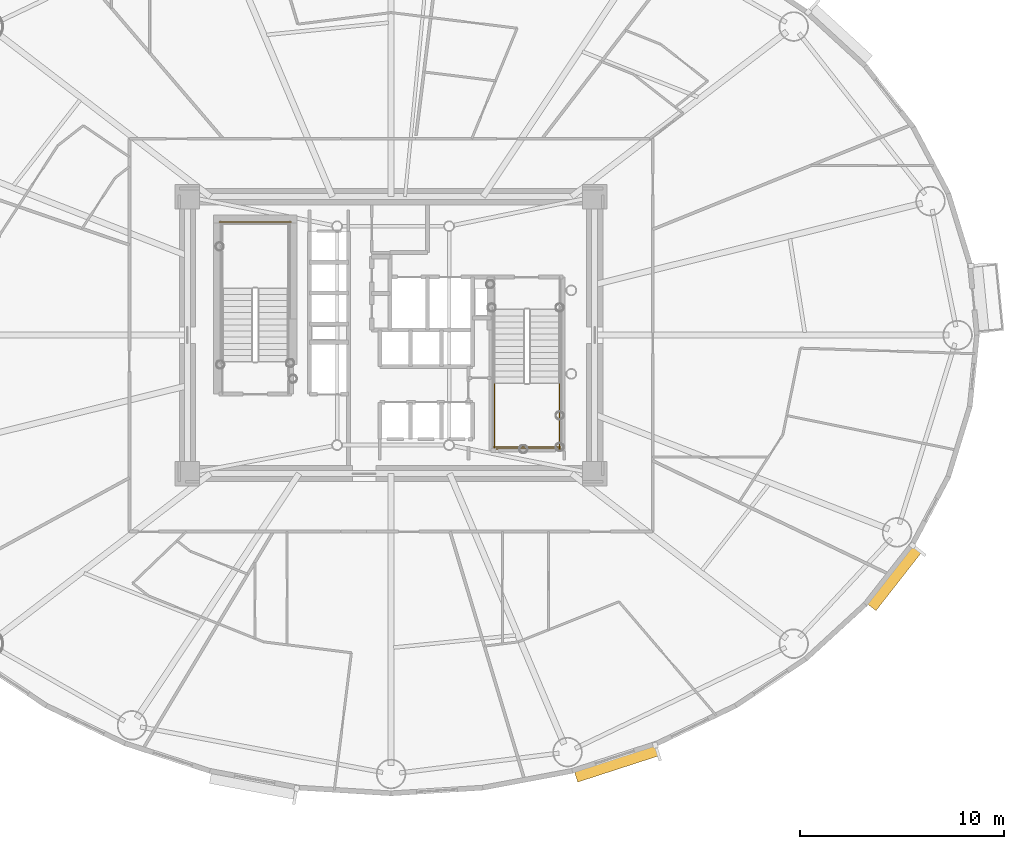
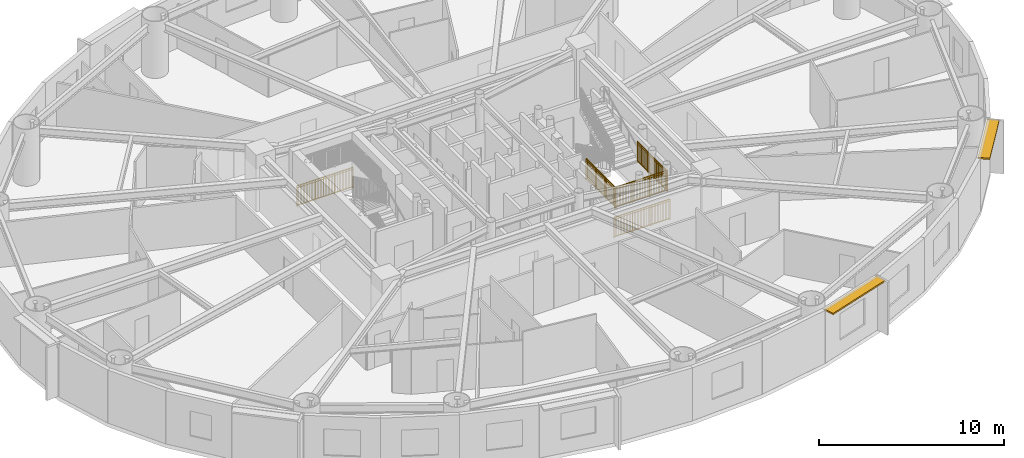
# One storey, part 15 of 18: 5 railings, 2 shading devices.
"""IFC4 building model written with IfcOpenShell, lengths in metres."""

import ifcopenshell
import ifcopenshell.guid

model = None  # the IFC model being written
_history = None  # IfcOwnerHistory: only IFC2X3 demands one
_inside = {}  # id of a spatial element -> (the spatial element, [elements in it])
_under = {}  # id of a project, library or spatial element -> (it, [spatial elements below it])
_declared = {}  # id of a project -> (the project, [libraries it declares])
_typed = {}  # id of a type object -> (the type object, [elements of that type])
_made_of = {}  # id of a material, layer set ... -> (it, [elements and type objects made of it])


def new_model(schema):
    """Start an empty IFC model of exactly this schema.

    Asked for "IFC4X3", IfcOpenShell would pick the latest addendum, in which some entities
    have other attributes; the version numbers below select the first issue.
    IFC2X3 requires an IfcOwnerHistory on every rooted entity: one is made here for all.
    """
    global model, _history
    if schema == "IFC4X3":
        model = ifcopenshell.file(schema_version=(4, 3, 0, 0))
    else:
        model = ifcopenshell.file(schema=schema)
    _inside.clear()
    _under.clear()
    _declared.clear()
    _typed.clear()
    _made_of.clear()
    _history = None
    if model.schema == "IFC2X3":
        org = make("IfcOrganization", Name="unknown")
        user = make(
            "IfcPersonAndOrganization",
            ThePerson=make("IfcPerson", FamilyName="unknown"),
            TheOrganization=org,
        )
        app = make(
            "IfcApplication",
            ApplicationDeveloper=org,
            Version="unknown",
            ApplicationFullName="unknown",
            ApplicationIdentifier="unknown",
        )
        _history = make(
            "IfcOwnerHistory",
            OwningUser=user,
            OwningApplication=app,
            ChangeAction="ADDED",
            CreationDate=0,
        )
    return model


def make(cls, **values):
    """One entity of the class cls with the attributes given. An attribute that is None is left unset."""
    return model.create_entity(
        cls, **{name: value for name, value in values.items() if value is not None}
    )


def rooted(cls, **values):
    """An entity with a GlobalId (a new one), such as an element, a storey or a relation."""
    return make(cls, GlobalId=ifcopenshell.guid.new(), OwnerHistory=_history, **values)


def si_unit(unit_type, name, prefix=None):
    """IfcSIUnit, for example si_unit("LENGTHUNIT", "METRE", prefix="MILLI")."""
    return make("IfcSIUnit", UnitType=unit_type, Prefix=prefix, Name=name)


def assignment(units):
    """IfcUnitAssignment: the units of a project."""
    return None if units is None else make("IfcUnitAssignment", Units=units)


def point(xyz):
    """IfcCartesianPoint."""
    return None if xyz is None else make("IfcCartesianPoint", Coordinates=xyz)


def direction(xyz):
    """IfcDirection."""
    return None if xyz is None else make("IfcDirection", DirectionRatios=xyz)


def frame(location, z_axis=None, x_axis=None):
    """IfcAxis2Placement3D, a coordinate frame: its origin and axes. An axis left out is left unset."""
    return make(
        "IfcAxis2Placement3D",
        Location=point(location),
        Axis=direction(z_axis),
        RefDirection=direction(x_axis),
    )


def frame_2d(location, x_axis=None):
    """IfcAxis2Placement2D, a coordinate frame in the plane: its origin and x axis."""
    return make(
        "IfcAxis2Placement2D", Location=point(location), RefDirection=direction(x_axis)
    )


def origin():
    """The frame at (0, 0, 0) with its axes left unset."""
    return frame((0.0, 0.0, 0.0))


def origin_2d():
    """The frame at (0, 0) in the plane with its x axis left unset."""
    return frame_2d((0.0, 0.0))


def place(relative_to, where):
    """IfcLocalPlacement: puts the frame where relative to a parent placement (None: the world)."""
    return make(
        "IfcLocalPlacement", PlacementRelTo=relative_to, RelativePlacement=where
    )


def context(
    kind, dimensions, precision=None, world=None, true_north=None, identifier=None
):
    """IfcGeometricRepresentationContext, for example the 3D "Model" context."""
    return make(
        "IfcGeometricRepresentationContext",
        ContextIdentifier=identifier,
        ContextType=kind,
        CoordinateSpaceDimension=dimensions,
        Precision=precision,
        WorldCoordinateSystem=world,
        TrueNorth=true_north,
    )


def subcontext(parent, identifier, kind, view, scale=None):
    """IfcGeometricRepresentationSubContext, for example "Body" below "Model"."""
    return make(
        "IfcGeometricRepresentationSubContext",
        ContextIdentifier=identifier,
        ContextType=kind,
        ParentContext=parent,
        TargetScale=scale,
        TargetView=view,
    )


def project(units=None, contexts=None):
    """IfcProject with its units and contexts."""
    return rooted(
        "IfcProject",
        Name="project",
        RepresentationContexts=contexts,
        UnitsInContext=assignment(units),
    )


def spatial(cls, under=None, at=None, **own):
    """A site, building, storey or space (cls), placed at a placement, below another one or the project."""
    s = rooted(cls, ObjectPlacement=at, **own)
    if under is not None:
        _under.setdefault(under.id(), (under, []))[1].append(s)
    return s


def profile(cls, at=None, kind="AREA", **sizes):
    """A parametric profile (cls). Its sizes go by their IFC names, for example OverallWidth=200.0."""
    return make(cls, ProfileType=kind, Position=at, **sizes)


def rectangle(**sizes):
    """IfcRectangleProfileDef."""
    return profile("IfcRectangleProfileDef", **sizes)


def extrude(swept, where, along, depth):
    """IfcExtrudedAreaSolid: the profile swept, set in the frame where, extruded along a direction by depth."""
    return make(
        "IfcExtrudedAreaSolid",
        SweptArea=swept,
        Position=where,
        ExtrudedDirection=direction(along),
        Depth=depth,
    )


def shape(context_of_items, identifier, shape_type, items):
    """IfcShapeRepresentation: the items that make up one representation, for example the "Body"."""
    return make(
        "IfcShapeRepresentation",
        ContextOfItems=context_of_items,
        RepresentationIdentifier=identifier,
        RepresentationType=shape_type,
        Items=items,
    )


def source(mapping_origin, context_of_items, identifier, shape_type, items):
    """IfcRepresentationMap: a shape defined once, which mapped items show again and again."""
    return make(
        "IfcRepresentationMap",
        MappingOrigin=mapping_origin,
        MappedRepresentation=shape(context_of_items, identifier, shape_type, items),
    )


def transform(
    local_origin,
    x_axis=None,
    y_axis=None,
    z_axis=None,
    scale=None,
    scale2=None,
    scale3=None,
    uniform=True,
):
    """IfcCartesianTransformationOperator3D, or its non-uniform kind. x_axis, y_axis, z_axis: its Axis1, 2, 3."""
    if uniform:
        return make(
            "IfcCartesianTransformationOperator3D",
            Axis1=direction(x_axis),
            Axis2=direction(y_axis),
            LocalOrigin=point(local_origin),
            Scale=scale,
            Axis3=direction(z_axis),
        )
    return make(
        "IfcCartesianTransformationOperator3DnonUniform",
        Axis1=direction(x_axis),
        Axis2=direction(y_axis),
        LocalOrigin=point(local_origin),
        Scale=scale,
        Axis3=direction(z_axis),
        Scale2=scale2,
        Scale3=scale3,
    )


def mapped(mapping_source, mapping_target):
    """IfcMappedItem: shows the shape of a source again, moved by a transform."""
    return make(
        "IfcMappedItem", MappingSource=mapping_source, MappingTarget=mapping_target
    )


def material(Name=None, Category=None):
    """IfcMaterial."""
    return make("IfcMaterial", Name=Name, Category=Category)


def layer(
    of_material, thickness, ventilated=None, Name=None, Category=None, Priority=None
):
    """IfcMaterialLayer: one layer of a wall or slab, of a material (None: an air gap)."""
    return make(
        "IfcMaterialLayer",
        Material=of_material,
        LayerThickness=thickness,
        IsVentilated=ventilated,
        Name=Name,
        Category=Category,
        Priority=Priority,
    )


def layer_set(layers, Name=None):
    """IfcMaterialLayerSet."""
    return make("IfcMaterialLayerSet", MaterialLayers=layers, LayerSetName=Name)


def made_of(thing, what):
    """Note that an element or type object is made of a material, layer set ...; save() writes the relation."""
    if what is not None:
        _made_of.setdefault(what.id(), (what, []))[1].append(thing)
    return thing


def type_object(cls, material=None, **own):
    """A type object (cls), such as IfcWallType, which elements share."""
    return made_of(rooted(cls, **own), material)


def element(
    cls,
    number,
    at=None,
    inside=None,
    cuts=None,
    type_object=None,
    material=None,
    context=None,
    identifier="Body",
    shape_type=None,
    held_by="IfcProductDefinitionShape",
    body=None,
    shapes=None,
    **own,
):
    """One element of the class cls, such as IfcWall. Its Tag is "e" and its number.

    at: its placement. inside: the storey or other place that contains it. cuts: it is an
    opening in that element (IfcRelVoidsElement). A single representation is given by context,
    identifier, shape_type and body (its items); several are given by shapes. held_by: the class
    of the entity that holds the representations. save() writes the other relations.
    """
    e = rooted(cls, Tag="e%d" % number, ObjectPlacement=at, **own)
    if body is not None:
        shapes = [shape(context, identifier, shape_type, body)]
    if shapes is not None:
        e.Representation = make(held_by, Representations=shapes)
    if inside is not None:
        _inside.setdefault(inside.id(), (inside, []))[1].append(e)
    if cuts is not None:
        rooted(
            "IfcRelVoidsElement", RelatingBuildingElement=cuts, RelatedOpeningElement=e
        )
    if type_object is not None:
        _typed.setdefault(type_object.id(), (type_object, []))[1].append(e)
    return made_of(e, material)


def aggregate(whole, parts):
    """IfcRelAggregates: a whole, such as a stair, and the parts it consists of."""
    return rooted("IfcRelAggregates", RelatingObject=whole, RelatedObjects=parts)


def save(model, path):
    """Write the relations noted so far, then the file.

    IfcRelAggregates (storeys below a building ...), IfcRelContainedInSpatialStructure (elements
    in a storey), IfcRelDefinesByType, IfcRelAssociatesMaterial and IfcRelDeclares: one each for
    every whole, place, type object, material and project.
    """
    for whole, parts in _under.values():
        aggregate(whole, parts)
    for where, things in _inside.values():
        rooted(
            "IfcRelContainedInSpatialStructure",
            RelatedElements=things,
            RelatingStructure=where,
        )
    for kind, things in _typed.values():
        rooted("IfcRelDefinesByType", RelatedObjects=things, RelatingType=kind)
    for what, things in _made_of.values():
        rooted("IfcRelAssociatesMaterial", RelatedObjects=things, RelatingMaterial=what)
    for by, libraries in _declared.values():
        rooted("IfcRelDeclares", RelatingContext=by, RelatedDefinitions=libraries)
    model.write(path)


model = new_model("IFC4")

# Units and contexts
model_context = context("Model", 3, precision=1e-05, world=origin(), true_north=direction((0.0, 1.0)))
body_context = subcontext(model_context, "Body", "Model", "MODEL_VIEW")
ifc_project = project(units=[si_unit("LENGTHUNIT", "METRE"), si_unit("AREAUNIT", "SQUARE_METRE"), si_unit("VOLUMEUNIT", "CUBIC_METRE"), si_unit("PLANEANGLEUNIT", "RADIAN"), si_unit("MASSUNIT", "GRAM", prefix="KILO")], contexts=[model_context])

# Site, building, storey
site_placement = place(None, origin())
site = spatial("IfcSite", under=ifc_project, at=site_placement, CompositionType="ELEMENT")
building_placement = place(site_placement, origin())
building = spatial("IfcBuilding", under=site, at=building_placement, Name="Linh Dai School and Residence Tower", CompositionType="ELEMENT")
storey_placement = place(building_placement, frame((0.0, 0.0, 104.699951171875)))
storey = spatial("IfcBuildingStorey", under=building, at=storey_placement, Name="L24", CompositionType="ELEMENT", Elevation=104.699951171875)

# Shading devices
ifc_material_1 = material(Name="Terracotta Ceramic Sunshade", Category="masonry")
ifc_layer = layer(ifc_material_1, 0.10009765625)
ifc_layer_set = layer_set([ifc_layer], Name="Terracotta Ceramic Sunshade")
shading_device_type = type_object("IfcShadingDeviceType", Name="SHD-TC-650", PredefinedType="USERDEFINED", material=ifc_layer_set)
shared_shape_1 = source(origin(), body_context, "Body", "SweptSolid", [
    extrude(rectangle(XDim=4.212890625, YDim=0.64990234375, at=origin_2d()), origin(), (0.0, 0.0, 1.0), 0.10009765625),
])
shading_device_1_placement = place(storey_placement, frame((47.07470703125, 6.004638671875, 3.3798828125), z_axis=(0.0, 0.0, 1.0), x_axis=(-0.951217089442, -0.308522363457, 0.0)))
element("IfcShadingDevice", 1, at=shading_device_1_placement, inside=storey, type_object=shading_device_type, Name="L24 Terracotta Horizontal Sunshade Band 33", ObjectType="SUNSHADE", PredefinedType="USERDEFINED", context=body_context, shape_type="MappedRepresentation", body=[
    mapped(shared_shape_1, transform((0.0, 0.0, 0.0), x_axis=(1.0, 0.0, 0.0), y_axis=(0.0, 1.0, 0.0), z_axis=(0.0, 0.0, 1.0), scale=1.0)),
])
shared_shape_2 = source(origin(), body_context, "Body", "SweptSolid", [
    extrude(rectangle(XDim=3.67041015625, YDim=0.64990234375, at=origin_2d()), origin(), (0.0, 0.0, 1.0), 0.10009765625),
])
shading_device_2_placement = place(storey_placement, frame((60.691650390625, 15.11328125, 3.3798828125), z_axis=(0.0, 0.0, 1.0), x_axis=(-0.616305017583, -0.787507539838, 0.0)))
element("IfcShadingDevice", 2, at=shading_device_2_placement, inside=storey, type_object=shading_device_type, Name="L24 Terracotta Horizontal Sunshade Band 37", ObjectType="SUNSHADE", PredefinedType="USERDEFINED", context=body_context, shape_type="MappedRepresentation", body=[
    mapped(shared_shape_2, transform((0.0, 0.0, 0.0), x_axis=(1.0, 0.0, 0.0), y_axis=(0.0, 1.0, 0.0), z_axis=(0.0, 0.0, 1.0), scale=1.0)),
])

# Railings
ifc_material_2 = material(Name="Structural Steel S355JR", Category="steel")
railing_type = type_object("IfcRailingType", Name="RL-ST-GUARD-1400", PredefinedType="GUARDRAIL", material=ifc_material_2)
shared_shape_3 = source(origin(), body_context, "Body", "SweptSolid", [
    extrude(rectangle(XDim=0.048095703125, YDim=0.048095703125, at=origin_2d()), frame((0.0, 0.0, 1.3759765625), z_axis=(-1.0, 0.0, 0.0), x_axis=(0.0, -1.0, 0.0)), (0.0, 0.0, 1.0), 3.5),
    extrude(rectangle(XDim=0.048095703125, YDim=0.048095703125, at=origin_2d()), frame((0.0, 0.0, 0.10009765625), z_axis=(-1.0, 0.0, 0.0), x_axis=(0.0, -1.0, 0.0)), (0.0, 0.0, 1.0), 3.5),
    extrude(rectangle(XDim=0.030029296875, YDim=0.030029296875, at=origin_2d()), frame((0.0, 0.0, 1.239990234375), z_axis=(-1.0, 0.0, 0.0), x_axis=(0.0, -1.0, 0.0)), (0.0, 0.0, 1.0), 3.5),
    extrude(rectangle(XDim=0.02001953125, YDim=0.02001953125, at=origin_2d()), frame((-0.09716796875, 0.0, 0.10009765625)), (0.0, 0.0, 1.0), 1.251708984375),
    extrude(rectangle(XDim=0.02001953125, YDim=0.02001953125, at=origin_2d()), frame((-0.1943359375, 0.0, 0.10009765625)), (0.0, 0.0, 1.0), 1.251708984375),
    extrude(rectangle(XDim=0.02001953125, YDim=0.02001953125, at=origin_2d()), frame((-0.291748046875, 0.0, 0.10009765625)), (0.0, 0.0, 1.0), 1.251708984375),
    extrude(rectangle(XDim=0.02001953125, YDim=0.02001953125, at=origin_2d()), frame((-0.388916015625, 0.0, 0.10009765625)), (0.0, 0.0, 1.0), 1.251708984375),
    extrude(rectangle(XDim=0.02001953125, YDim=0.02001953125, at=origin_2d()), frame((-0.486083984375, 0.0, 0.10009765625)), (0.0, 0.0, 1.0), 1.251708984375),
    extrude(rectangle(XDim=0.02001953125, YDim=0.02001953125, at=origin_2d()), frame((-0.583251953125, 0.0, 0.10009765625)), (0.0, 0.0, 1.0), 1.251708984375),
    extrude(rectangle(XDim=0.02001953125, YDim=0.02001953125, at=origin_2d()), frame((-0.6806640625, 0.0, 0.10009765625)), (0.0, 0.0, 1.0), 1.251708984375),
    extrude(rectangle(XDim=0.02001953125, YDim=0.02001953125, at=origin_2d()), frame((-0.77783203125, 0.0, 0.10009765625)), (0.0, 0.0, 1.0), 1.251708984375),
    extrude(rectangle(XDim=0.02001953125, YDim=0.02001953125, at=origin_2d()), frame((-0.875, 0.0, 0.10009765625)), (0.0, 0.0, 1.0), 1.251708984375),
    extrude(rectangle(XDim=0.02001953125, YDim=0.02001953125, at=origin_2d()), frame((-0.97216796875, 0.0, 0.10009765625)), (0.0, 0.0, 1.0), 1.251708984375),
    extrude(rectangle(XDim=0.02001953125, YDim=0.02001953125, at=origin_2d()), frame((-1.0693359375, 0.0, 0.10009765625)), (0.0, 0.0, 1.0), 1.251708984375),
    extrude(rectangle(XDim=0.02001953125, YDim=0.02001953125, at=origin_2d()), frame((-1.263916015625, 0.0, 0.10009765625)), (0.0, 0.0, 1.0), 1.251708984375),
    extrude(rectangle(XDim=0.02001953125, YDim=0.02001953125, at=origin_2d()), frame((-1.361083984375, 0.0, 0.10009765625)), (0.0, 0.0, 1.0), 1.251708984375),
    extrude(rectangle(XDim=0.02001953125, YDim=0.02001953125, at=origin_2d()), frame((-1.458251953125, 0.0, 0.10009765625)), (0.0, 0.0, 1.0), 1.251708984375),
    extrude(rectangle(XDim=0.02001953125, YDim=0.02001953125, at=origin_2d()), frame((-1.5556640625, 0.0, 0.10009765625)), (0.0, 0.0, 1.0), 1.251708984375),
    extrude(rectangle(XDim=0.02001953125, YDim=0.02001953125, at=origin_2d()), frame((-1.65283203125, 0.0, 0.10009765625)), (0.0, 0.0, 1.0), 1.251708984375),
    extrude(rectangle(XDim=0.02001953125, YDim=0.02001953125, at=origin_2d()), frame((-1.75, 0.0, 0.10009765625)), (0.0, 0.0, 1.0), 1.251708984375),
    extrude(rectangle(XDim=0.02001953125, YDim=0.02001953125, at=origin_2d()), frame((-1.84716796875, 0.0, 0.10009765625)), (0.0, 0.0, 1.0), 1.251708984375),
    extrude(rectangle(XDim=0.02001953125, YDim=0.02001953125, at=origin_2d()), frame((-1.9443359375, 0.0, 0.10009765625)), (0.0, 0.0, 1.0), 1.251708984375),
    extrude(rectangle(XDim=0.02001953125, YDim=0.02001953125, at=origin_2d()), frame((-2.041748046875, 0.0, 0.10009765625)), (0.0, 0.0, 1.0), 1.251708984375),
    extrude(rectangle(XDim=0.02001953125, YDim=0.02001953125, at=origin_2d()), frame((-2.138916015625, 0.0, 0.10009765625)), (0.0, 0.0, 1.0), 1.251708984375),
    extrude(rectangle(XDim=0.02001953125, YDim=0.02001953125, at=origin_2d()), frame((-2.236083984375, 0.0, 0.10009765625)), (0.0, 0.0, 1.0), 1.251708984375),
    extrude(rectangle(XDim=0.02001953125, YDim=0.02001953125, at=origin_2d()), frame((-2.4306640625, 0.0, 0.10009765625)), (0.0, 0.0, 1.0), 1.251708984375),
    extrude(rectangle(XDim=0.02001953125, YDim=0.02001953125, at=origin_2d()), frame((-2.52783203125, 0.0, 0.10009765625)), (0.0, 0.0, 1.0), 1.251708984375),
    extrude(rectangle(XDim=0.02001953125, YDim=0.02001953125, at=origin_2d()), frame((-2.625, 0.0, 0.10009765625)), (0.0, 0.0, 1.0), 1.251708984375),
    extrude(rectangle(XDim=0.02001953125, YDim=0.02001953125, at=origin_2d()), frame((-2.72216796875, 0.0, 0.10009765625)), (0.0, 0.0, 1.0), 1.251708984375),
    extrude(rectangle(XDim=0.02001953125, YDim=0.02001953125, at=origin_2d()), frame((-2.8193359375, 0.0, 0.10009765625)), (0.0, 0.0, 1.0), 1.251708984375),
    extrude(rectangle(XDim=0.02001953125, YDim=0.02001953125, at=origin_2d()), frame((-2.916748046875, 0.0, 0.10009765625)), (0.0, 0.0, 1.0), 1.251708984375),
    extrude(rectangle(XDim=0.02001953125, YDim=0.02001953125, at=origin_2d()), frame((-3.013916015625, 0.0, 0.10009765625)), (0.0, 0.0, 1.0), 1.251708984375),
    extrude(rectangle(XDim=0.02001953125, YDim=0.02001953125, at=origin_2d()), frame((-3.111083984375, 0.0, 0.10009765625)), (0.0, 0.0, 1.0), 1.251708984375),
    extrude(rectangle(XDim=0.02001953125, YDim=0.02001953125, at=origin_2d()), frame((-3.208251953125, 0.0, 0.10009765625)), (0.0, 0.0, 1.0), 1.251708984375),
    extrude(rectangle(XDim=0.02001953125, YDim=0.02001953125, at=origin_2d()), frame((-3.3056640625, 0.0, 0.10009765625)), (0.0, 0.0, 1.0), 1.251708984375),
    extrude(rectangle(XDim=0.02001953125, YDim=0.02001953125, at=origin_2d()), frame((-3.40283203125, 0.0, 0.10009765625)), (0.0, 0.0, 1.0), 1.251708984375),
    extrude(rectangle(XDim=0.0419921875, YDim=0.0419921875, at=origin_2d()), origin(), (0.0, 0.0, 1.0), 1.3759765625),
    extrude(rectangle(XDim=0.0419921875, YDim=0.0419921875, at=origin_2d()), frame((-1.166748046875, 0.0, 0.0)), (0.0, 0.0, 1.0), 1.3759765625),
    extrude(rectangle(XDim=0.0419921875, YDim=0.0419921875, at=origin_2d()), frame((-2.333251953125, 0.0, 0.0)), (0.0, 0.0, 1.0), 1.3759765625),
    extrude(rectangle(XDim=0.0419921875, YDim=0.0419921875, at=origin_2d()), frame((-3.5, 0.0, 0.0)), (0.0, 0.0, 1.0), 1.3759765625),
])
railing_1_placement = place(storey_placement, frame((31.080078125, 32.550048828125, 0.0)))
element("IfcRailing", 3, at=railing_1_placement, inside=storey, type_object=railing_type, Name="L24 ST1 stair guard 12", PredefinedType="GUARDRAIL", context=body_context, shape_type="MappedRepresentation", body=[
    mapped(shared_shape_3, transform((0.0, 0.0, 0.0), x_axis=(1.0, 0.0, 0.0), y_axis=(0.0, 1.0, 0.0), z_axis=(0.0, 0.0, 1.0), scale=1.0)),
])
shared_shape_4 = source(origin(), body_context, "Body", "SweptSolid", [
    extrude(rectangle(XDim=0.048095703125, YDim=0.048095703125, at=origin_2d()), frame((0.0, 0.0, 1.3759765625), z_axis=(1.0, 0.0, 0.0), x_axis=(0.0, 1.0, 0.0)), (0.0, 0.0, 1.0), 3.300048828125),
    extrude(rectangle(XDim=0.048095703125, YDim=0.048095703125, at=origin_2d()), frame((0.0, 0.0, 0.10009765625), z_axis=(1.0, 0.0, 0.0), x_axis=(0.0, 1.0, 0.0)), (0.0, 0.0, 1.0), 3.300048828125),
    extrude(rectangle(XDim=0.030029296875, YDim=0.030029296875, at=origin_2d()), frame((0.0, 0.0, 1.239990234375), z_axis=(1.0, 0.0, 0.0), x_axis=(0.0, 1.0, 0.0)), (0.0, 0.0, 1.0), 3.300048828125),
    extrude(rectangle(XDim=0.02001953125, YDim=0.02001953125, at=origin_2d()), frame((0.09716796875, 0.0, 0.10009765625)), (0.0, 0.0, 1.0), 1.251708984375),
    extrude(rectangle(XDim=0.02001953125, YDim=0.02001953125, at=origin_2d()), frame((0.194091796875, 0.0, 0.10009765625)), (0.0, 0.0, 1.0), 1.251708984375),
    extrude(rectangle(XDim=0.02001953125, YDim=0.02001953125, at=origin_2d()), frame((0.291259765625, 0.0, 0.10009765625)), (0.0, 0.0, 1.0), 1.251708984375),
    extrude(rectangle(XDim=0.02001953125, YDim=0.02001953125, at=origin_2d()), frame((0.38818359375, 0.0, 0.10009765625)), (0.0, 0.0, 1.0), 1.251708984375),
    extrude(rectangle(XDim=0.02001953125, YDim=0.02001953125, at=origin_2d()), frame((0.4853515625, 0.0, 0.10009765625)), (0.0, 0.0, 1.0), 1.251708984375),
    extrude(rectangle(XDim=0.02001953125, YDim=0.02001953125, at=origin_2d()), frame((0.582275390625, 0.0, 0.10009765625)), (0.0, 0.0, 1.0), 1.251708984375),
    extrude(rectangle(XDim=0.02001953125, YDim=0.02001953125, at=origin_2d()), frame((0.679443359375, 0.0, 0.10009765625)), (0.0, 0.0, 1.0), 1.251708984375),
    extrude(rectangle(XDim=0.02001953125, YDim=0.02001953125, at=origin_2d()), frame((0.7763671875, 0.0, 0.10009765625)), (0.0, 0.0, 1.0), 1.251708984375),
    extrude(rectangle(XDim=0.02001953125, YDim=0.02001953125, at=origin_2d()), frame((0.87353515625, 0.0, 0.10009765625)), (0.0, 0.0, 1.0), 1.251708984375),
    extrude(rectangle(XDim=0.02001953125, YDim=0.02001953125, at=origin_2d()), frame((0.970703125, 0.0, 0.10009765625)), (0.0, 0.0, 1.0), 1.251708984375),
    extrude(rectangle(XDim=0.02001953125, YDim=0.02001953125, at=origin_2d()), frame((1.164794921875, 0.0, 0.10009765625)), (0.0, 0.0, 1.0), 1.251708984375),
    extrude(rectangle(XDim=0.02001953125, YDim=0.02001953125, at=origin_2d()), frame((1.26171875, 0.0, 0.10009765625)), (0.0, 0.0, 1.0), 1.251708984375),
    extrude(rectangle(XDim=0.02001953125, YDim=0.02001953125, at=origin_2d()), frame((1.35888671875, 0.0, 0.10009765625)), (0.0, 0.0, 1.0), 1.251708984375),
    extrude(rectangle(XDim=0.02001953125, YDim=0.02001953125, at=origin_2d()), frame((1.455810546875, 0.0, 0.10009765625)), (0.0, 0.0, 1.0), 1.251708984375),
    extrude(rectangle(XDim=0.02001953125, YDim=0.02001953125, at=origin_2d()), frame((1.552978515625, 0.0, 0.10009765625)), (0.0, 0.0, 1.0), 1.251708984375),
    extrude(rectangle(XDim=0.02001953125, YDim=0.02001953125, at=origin_2d()), frame((1.64990234375, 0.0, 0.10009765625)), (0.0, 0.0, 1.0), 1.251708984375),
    extrude(rectangle(XDim=0.02001953125, YDim=0.02001953125, at=origin_2d()), frame((1.7470703125, 0.0, 0.10009765625)), (0.0, 0.0, 1.0), 1.251708984375),
    extrude(rectangle(XDim=0.02001953125, YDim=0.02001953125, at=origin_2d()), frame((1.84423828125, 0.0, 0.10009765625)), (0.0, 0.0, 1.0), 1.251708984375),
    extrude(rectangle(XDim=0.02001953125, YDim=0.02001953125, at=origin_2d()), frame((1.941162109375, 0.0, 0.10009765625)), (0.0, 0.0, 1.0), 1.251708984375),
    extrude(rectangle(XDim=0.02001953125, YDim=0.02001953125, at=origin_2d()), frame((2.038330078125, 0.0, 0.10009765625)), (0.0, 0.0, 1.0), 1.251708984375),
    extrude(rectangle(XDim=0.02001953125, YDim=0.02001953125, at=origin_2d()), frame((2.13525390625, 0.0, 0.10009765625)), (0.0, 0.0, 1.0), 1.251708984375),
    extrude(rectangle(XDim=0.02001953125, YDim=0.02001953125, at=origin_2d()), frame((2.329345703125, 0.0, 0.10009765625)), (0.0, 0.0, 1.0), 1.251708984375),
    extrude(rectangle(XDim=0.02001953125, YDim=0.02001953125, at=origin_2d()), frame((2.426513671875, 0.0, 0.10009765625)), (0.0, 0.0, 1.0), 1.251708984375),
    extrude(rectangle(XDim=0.02001953125, YDim=0.02001953125, at=origin_2d()), frame((2.523681640625, 0.0, 0.10009765625)), (0.0, 0.0, 1.0), 1.251708984375),
    extrude(rectangle(XDim=0.02001953125, YDim=0.02001953125, at=origin_2d()), frame((2.62060546875, 0.0, 0.10009765625)), (0.0, 0.0, 1.0), 1.251708984375),
    extrude(rectangle(XDim=0.02001953125, YDim=0.02001953125, at=origin_2d()), frame((2.7177734375, 0.0, 0.10009765625)), (0.0, 0.0, 1.0), 1.251708984375),
    extrude(rectangle(XDim=0.02001953125, YDim=0.02001953125, at=origin_2d()), frame((2.814697265625, 0.0, 0.10009765625)), (0.0, 0.0, 1.0), 1.251708984375),
    extrude(rectangle(XDim=0.02001953125, YDim=0.02001953125, at=origin_2d()), frame((2.911865234375, 0.0, 0.10009765625)), (0.0, 0.0, 1.0), 1.251708984375),
    extrude(rectangle(XDim=0.02001953125, YDim=0.02001953125, at=origin_2d()), frame((3.0087890625, 0.0, 0.10009765625)), (0.0, 0.0, 1.0), 1.251708984375),
    extrude(rectangle(XDim=0.02001953125, YDim=0.02001953125, at=origin_2d()), frame((3.10595703125, 0.0, 0.10009765625)), (0.0, 0.0, 1.0), 1.251708984375),
    extrude(rectangle(XDim=0.02001953125, YDim=0.02001953125, at=origin_2d()), frame((3.202880859375, 0.0, 0.10009765625)), (0.0, 0.0, 1.0), 1.251708984375),
    extrude(rectangle(XDim=0.0419921875, YDim=0.0419921875, at=origin_2d()), origin(), (0.0, 0.0, 1.0), 1.3759765625),
    extrude(rectangle(XDim=0.0419921875, YDim=0.0419921875, at=origin_2d()), frame((1.10009765625, 0.0, 0.0)), (0.0, 0.0, 1.0), 1.3759765625),
    extrude(rectangle(XDim=0.0419921875, YDim=0.0419921875, at=origin_2d()), frame((2.199951171875, 0.0, 0.0)), (0.0, 0.0, 1.0), 1.3759765625),
    extrude(rectangle(XDim=0.0419921875, YDim=0.0419921875, at=origin_2d()), frame((3.300048828125, 0.0, 0.0)), (0.0, 0.0, 1.0), 1.3759765625),
])
railing_2_placement = place(storey_placement, frame((41.02001953125, 21.5, 1.875)))
element("IfcRailing", 4, at=railing_2_placement, inside=storey, type_object=railing_type, Name="L24 ST2 stair guard 5", PredefinedType="GUARDRAIL", context=body_context, shape_type="MappedRepresentation", body=[
    mapped(shared_shape_4, transform((0.0, 0.0, 0.0), x_axis=(1.0, 0.0, 0.0), y_axis=(0.0, 1.0, 0.0), z_axis=(0.0, 0.0, 1.0), scale=1.0)),
])
shared_shape_5 = source(origin(), body_context, "Body", "SweptSolid", [
    extrude(rectangle(XDim=0.048095703125, YDim=0.048095703125, at=origin_2d()), frame((0.0, 0.0, 1.3759765625), z_axis=(1.0, 0.0, 0.0), x_axis=(0.0, 1.0, 0.0)), (0.0, 0.0, 1.0), 3.5),
    extrude(rectangle(XDim=0.048095703125, YDim=0.048095703125, at=origin_2d()), frame((0.0, 0.0, 0.10009765625), z_axis=(1.0, 0.0, 0.0), x_axis=(0.0, 1.0, 0.0)), (0.0, 0.0, 1.0), 3.5),
    extrude(rectangle(XDim=0.030029296875, YDim=0.030029296875, at=origin_2d()), frame((0.0, 0.0, 1.239990234375), z_axis=(1.0, 0.0, 0.0), x_axis=(0.0, 1.0, 0.0)), (0.0, 0.0, 1.0), 3.5),
    extrude(rectangle(XDim=0.02001953125, YDim=0.02001953125, at=origin_2d()), frame((0.09716796875, 0.0, 0.10009765625)), (0.0, 0.0, 1.0), 1.251708984375),
    extrude(rectangle(XDim=0.02001953125, YDim=0.02001953125, at=origin_2d()), frame((0.1943359375, 0.0, 0.10009765625)), (0.0, 0.0, 1.0), 1.251708984375),
    extrude(rectangle(XDim=0.02001953125, YDim=0.02001953125, at=origin_2d()), frame((0.291748046875, 0.0, 0.10009765625)), (0.0, 0.0, 1.0), 1.251708984375),
    extrude(rectangle(XDim=0.02001953125, YDim=0.02001953125, at=origin_2d()), frame((0.388916015625, 0.0, 0.10009765625)), (0.0, 0.0, 1.0), 1.251708984375),
    extrude(rectangle(XDim=0.02001953125, YDim=0.02001953125, at=origin_2d()), frame((0.486083984375, 0.0, 0.10009765625)), (0.0, 0.0, 1.0), 1.251708984375),
    extrude(rectangle(XDim=0.02001953125, YDim=0.02001953125, at=origin_2d()), frame((0.583251953125, 0.0, 0.10009765625)), (0.0, 0.0, 1.0), 1.251708984375),
    extrude(rectangle(XDim=0.02001953125, YDim=0.02001953125, at=origin_2d()), frame((0.6806640625, 0.0, 0.10009765625)), (0.0, 0.0, 1.0), 1.251708984375),
    extrude(rectangle(XDim=0.02001953125, YDim=0.02001953125, at=origin_2d()), frame((0.77783203125, 0.0, 0.10009765625)), (0.0, 0.0, 1.0), 1.251708984375),
    extrude(rectangle(XDim=0.02001953125, YDim=0.02001953125, at=origin_2d()), frame((0.875, 0.0, 0.10009765625)), (0.0, 0.0, 1.0), 1.251708984375),
    extrude(rectangle(XDim=0.02001953125, YDim=0.02001953125, at=origin_2d()), frame((0.97216796875, 0.0, 0.10009765625)), (0.0, 0.0, 1.0), 1.251708984375),
    extrude(rectangle(XDim=0.02001953125, YDim=0.02001953125, at=origin_2d()), frame((1.0693359375, 0.0, 0.10009765625)), (0.0, 0.0, 1.0), 1.251708984375),
    extrude(rectangle(XDim=0.02001953125, YDim=0.02001953125, at=origin_2d()), frame((1.263916015625, 0.0, 0.10009765625)), (0.0, 0.0, 1.0), 1.251708984375),
    extrude(rectangle(XDim=0.02001953125, YDim=0.02001953125, at=origin_2d()), frame((1.361083984375, 0.0, 0.10009765625)), (0.0, 0.0, 1.0), 1.251708984375),
    extrude(rectangle(XDim=0.02001953125, YDim=0.02001953125, at=origin_2d()), frame((1.458251953125, 0.0, 0.10009765625)), (0.0, 0.0, 1.0), 1.251708984375),
    extrude(rectangle(XDim=0.02001953125, YDim=0.02001953125, at=origin_2d()), frame((1.5556640625, 0.0, 0.10009765625)), (0.0, 0.0, 1.0), 1.251708984375),
    extrude(rectangle(XDim=0.02001953125, YDim=0.02001953125, at=origin_2d()), frame((1.65283203125, 0.0, 0.10009765625)), (0.0, 0.0, 1.0), 1.251708984375),
    extrude(rectangle(XDim=0.02001953125, YDim=0.02001953125, at=origin_2d()), frame((1.75, 0.0, 0.10009765625)), (0.0, 0.0, 1.0), 1.251708984375),
    extrude(rectangle(XDim=0.02001953125, YDim=0.02001953125, at=origin_2d()), frame((1.84716796875, 0.0, 0.10009765625)), (0.0, 0.0, 1.0), 1.251708984375),
    extrude(rectangle(XDim=0.02001953125, YDim=0.02001953125, at=origin_2d()), frame((1.9443359375, 0.0, 0.10009765625)), (0.0, 0.0, 1.0), 1.251708984375),
    extrude(rectangle(XDim=0.02001953125, YDim=0.02001953125, at=origin_2d()), frame((2.041748046875, 0.0, 0.10009765625)), (0.0, 0.0, 1.0), 1.251708984375),
    extrude(rectangle(XDim=0.02001953125, YDim=0.02001953125, at=origin_2d()), frame((2.138916015625, 0.0, 0.10009765625)), (0.0, 0.0, 1.0), 1.251708984375),
    extrude(rectangle(XDim=0.02001953125, YDim=0.02001953125, at=origin_2d()), frame((2.236083984375, 0.0, 0.10009765625)), (0.0, 0.0, 1.0), 1.251708984375),
    extrude(rectangle(XDim=0.02001953125, YDim=0.02001953125, at=origin_2d()), frame((2.4306640625, 0.0, 0.10009765625)), (0.0, 0.0, 1.0), 1.251708984375),
    extrude(rectangle(XDim=0.02001953125, YDim=0.02001953125, at=origin_2d()), frame((2.52783203125, 0.0, 0.10009765625)), (0.0, 0.0, 1.0), 1.251708984375),
    extrude(rectangle(XDim=0.02001953125, YDim=0.02001953125, at=origin_2d()), frame((2.625, 0.0, 0.10009765625)), (0.0, 0.0, 1.0), 1.251708984375),
    extrude(rectangle(XDim=0.02001953125, YDim=0.02001953125, at=origin_2d()), frame((2.72216796875, 0.0, 0.10009765625)), (0.0, 0.0, 1.0), 1.251708984375),
    extrude(rectangle(XDim=0.02001953125, YDim=0.02001953125, at=origin_2d()), frame((2.8193359375, 0.0, 0.10009765625)), (0.0, 0.0, 1.0), 1.251708984375),
    extrude(rectangle(XDim=0.02001953125, YDim=0.02001953125, at=origin_2d()), frame((2.916748046875, 0.0, 0.10009765625)), (0.0, 0.0, 1.0), 1.251708984375),
    extrude(rectangle(XDim=0.02001953125, YDim=0.02001953125, at=origin_2d()), frame((3.013916015625, 0.0, 0.10009765625)), (0.0, 0.0, 1.0), 1.251708984375),
    extrude(rectangle(XDim=0.02001953125, YDim=0.02001953125, at=origin_2d()), frame((3.111083984375, 0.0, 0.10009765625)), (0.0, 0.0, 1.0), 1.251708984375),
    extrude(rectangle(XDim=0.02001953125, YDim=0.02001953125, at=origin_2d()), frame((3.208251953125, 0.0, 0.10009765625)), (0.0, 0.0, 1.0), 1.251708984375),
    extrude(rectangle(XDim=0.02001953125, YDim=0.02001953125, at=origin_2d()), frame((3.3056640625, 0.0, 0.10009765625)), (0.0, 0.0, 1.0), 1.251708984375),
    extrude(rectangle(XDim=0.02001953125, YDim=0.02001953125, at=origin_2d()), frame((3.40283203125, 0.0, 0.10009765625)), (0.0, 0.0, 1.0), 1.251708984375),
    extrude(rectangle(XDim=0.0419921875, YDim=0.0419921875, at=origin_2d()), origin(), (0.0, 0.0, 1.0), 1.3759765625),
    extrude(rectangle(XDim=0.0419921875, YDim=0.0419921875, at=origin_2d()), frame((1.166748046875, 0.0, 0.0)), (0.0, 0.0, 1.0), 1.3759765625),
    extrude(rectangle(XDim=0.0419921875, YDim=0.0419921875, at=origin_2d()), frame((2.333251953125, 0.0, 0.0)), (0.0, 0.0, 1.0), 1.3759765625),
    extrude(rectangle(XDim=0.0419921875, YDim=0.0419921875, at=origin_2d()), frame((3.5, 0.0, 0.0)), (0.0, 0.0, 1.0), 1.3759765625),
])
railing_3_placement = place(storey_placement, frame((40.919921875, 21.39990234375, 0.0)))
element("IfcRailing", 5, at=railing_3_placement, inside=storey, type_object=railing_type, Name="L24 ST2 stair guard 12", PredefinedType="GUARDRAIL", context=body_context, shape_type="MappedRepresentation", body=[
    mapped(shared_shape_5, transform((0.0, 0.0, 0.0), x_axis=(1.0, 0.0, 0.0), y_axis=(0.0, 1.0, 0.0), z_axis=(0.0, 0.0, 1.0), scale=1.0)),
])
shared_shape_6 = source(origin(), body_context, "Body", "SweptSolid", [
    extrude(rectangle(XDim=0.048095703125, YDim=0.048095703125, at=origin_2d()), frame((0.0, 0.0, 1.3759765625), z_axis=(0.0, -1.0, 0.0), x_axis=(1.0, 0.0, 0.0)), (0.0, 0.0, 1.0), 3.199951171875),
    extrude(rectangle(XDim=0.048095703125, YDim=0.048095703125, at=origin_2d()), frame((0.0, 0.0, 0.10009765625), z_axis=(0.0, -1.0, 0.0), x_axis=(1.0, 0.0, 0.0)), (0.0, 0.0, 1.0), 3.199951171875),
    extrude(rectangle(XDim=0.030029296875, YDim=0.030029296875, at=origin_2d()), frame((0.0, 0.0, 1.239990234375), z_axis=(0.0, -1.0, 0.0), x_axis=(1.0, 0.0, 0.0)), (0.0, 0.0, 1.0), 3.199951171875),
    extrude(rectangle(XDim=0.02001953125, YDim=0.02001953125, at=origin_2d()), frame((0.0, -0.096923828125, 0.10009765625)), (0.0, 0.0, 1.0), 1.251708984375),
    extrude(rectangle(XDim=0.02001953125, YDim=0.02001953125, at=origin_2d()), frame((0.0, -0.19384765625, 0.10009765625)), (0.0, 0.0, 1.0), 1.251708984375),
    extrude(rectangle(XDim=0.02001953125, YDim=0.02001953125, at=origin_2d()), frame((0.0, -0.291015625, 0.10009765625)), (0.0, 0.0, 1.0), 1.251708984375),
    extrude(rectangle(XDim=0.02001953125, YDim=0.02001953125, at=origin_2d()), frame((0.0, -0.387939453125, 0.10009765625)), (0.0, 0.0, 1.0), 1.251708984375),
    extrude(rectangle(XDim=0.02001953125, YDim=0.02001953125, at=origin_2d()), frame((0.0, -0.48486328125, 0.10009765625)), (0.0, 0.0, 1.0), 1.251708984375),
    extrude(rectangle(XDim=0.02001953125, YDim=0.02001953125, at=origin_2d()), frame((0.0, -0.581787109375, 0.10009765625)), (0.0, 0.0, 1.0), 1.251708984375),
    extrude(rectangle(XDim=0.02001953125, YDim=0.02001953125, at=origin_2d()), frame((0.0, -0.6787109375, 0.10009765625)), (0.0, 0.0, 1.0), 1.251708984375),
    extrude(rectangle(XDim=0.02001953125, YDim=0.02001953125, at=origin_2d()), frame((0.0, -0.775634765625, 0.10009765625)), (0.0, 0.0, 1.0), 1.251708984375),
    extrude(rectangle(XDim=0.02001953125, YDim=0.02001953125, at=origin_2d()), frame((0.0, -0.872802734375, 0.10009765625)), (0.0, 0.0, 1.0), 1.251708984375),
    extrude(rectangle(XDim=0.02001953125, YDim=0.02001953125, at=origin_2d()), frame((0.0, -0.9697265625, 0.10009765625)), (0.0, 0.0, 1.0), 1.251708984375),
    extrude(rectangle(XDim=0.02001953125, YDim=0.02001953125, at=origin_2d()), frame((0.0, -1.16357421875, 0.10009765625)), (0.0, 0.0, 1.0), 1.251708984375),
    extrude(rectangle(XDim=0.02001953125, YDim=0.02001953125, at=origin_2d()), frame((0.0, -1.260498046875, 0.10009765625)), (0.0, 0.0, 1.0), 1.251708984375),
    extrude(rectangle(XDim=0.02001953125, YDim=0.02001953125, at=origin_2d()), frame((0.0, -1.357666015625, 0.10009765625)), (0.0, 0.0, 1.0), 1.251708984375),
    extrude(rectangle(XDim=0.02001953125, YDim=0.02001953125, at=origin_2d()), frame((0.0, -1.45458984375, 0.10009765625)), (0.0, 0.0, 1.0), 1.251708984375),
    extrude(rectangle(XDim=0.02001953125, YDim=0.02001953125, at=origin_2d()), frame((0.0, -1.551513671875, 0.10009765625)), (0.0, 0.0, 1.0), 1.251708984375),
    extrude(rectangle(XDim=0.02001953125, YDim=0.02001953125, at=origin_2d()), frame((0.0, -1.6484375, 0.10009765625)), (0.0, 0.0, 1.0), 1.251708984375),
    extrude(rectangle(XDim=0.02001953125, YDim=0.02001953125, at=origin_2d()), frame((0.0, -1.745361328125, 0.10009765625)), (0.0, 0.0, 1.0), 1.251708984375),
    extrude(rectangle(XDim=0.02001953125, YDim=0.02001953125, at=origin_2d()), frame((0.0, -1.84228515625, 0.10009765625)), (0.0, 0.0, 1.0), 1.251708984375),
    extrude(rectangle(XDim=0.02001953125, YDim=0.02001953125, at=origin_2d()), frame((0.0, -1.939453125, 0.10009765625)), (0.0, 0.0, 1.0), 1.251708984375),
    extrude(rectangle(XDim=0.02001953125, YDim=0.02001953125, at=origin_2d()), frame((0.0, -2.036376953125, 0.10009765625)), (0.0, 0.0, 1.0), 1.251708984375),
    extrude(rectangle(XDim=0.02001953125, YDim=0.02001953125, at=origin_2d()), frame((0.0, -2.230224609375, 0.10009765625)), (0.0, 0.0, 1.0), 1.251708984375),
    extrude(rectangle(XDim=0.02001953125, YDim=0.02001953125, at=origin_2d()), frame((0.0, -2.3271484375, 0.10009765625)), (0.0, 0.0, 1.0), 1.251708984375),
    extrude(rectangle(XDim=0.02001953125, YDim=0.02001953125, at=origin_2d()), frame((0.0, -2.42431640625, 0.10009765625)), (0.0, 0.0, 1.0), 1.251708984375),
    extrude(rectangle(XDim=0.02001953125, YDim=0.02001953125, at=origin_2d()), frame((0.0, -2.521240234375, 0.10009765625)), (0.0, 0.0, 1.0), 1.251708984375),
    extrude(rectangle(XDim=0.02001953125, YDim=0.02001953125, at=origin_2d()), frame((0.0, -2.6181640625, 0.10009765625)), (0.0, 0.0, 1.0), 1.251708984375),
    extrude(rectangle(XDim=0.02001953125, YDim=0.02001953125, at=origin_2d()), frame((0.0, -2.715087890625, 0.10009765625)), (0.0, 0.0, 1.0), 1.251708984375),
    extrude(rectangle(XDim=0.02001953125, YDim=0.02001953125, at=origin_2d()), frame((0.0, -2.81201171875, 0.10009765625)), (0.0, 0.0, 1.0), 1.251708984375),
    extrude(rectangle(XDim=0.02001953125, YDim=0.02001953125, at=origin_2d()), frame((0.0, -2.908935546875, 0.10009765625)), (0.0, 0.0, 1.0), 1.251708984375),
    extrude(rectangle(XDim=0.02001953125, YDim=0.02001953125, at=origin_2d()), frame((0.0, -3.006103515625, 0.10009765625)), (0.0, 0.0, 1.0), 1.251708984375),
    extrude(rectangle(XDim=0.02001953125, YDim=0.02001953125, at=origin_2d()), frame((0.0, -3.10302734375, 0.10009765625)), (0.0, 0.0, 1.0), 1.251708984375),
    extrude(rectangle(XDim=0.0419921875, YDim=0.0419921875, at=origin_2d()), origin(), (0.0, 0.0, 1.0), 1.3759765625),
    extrude(rectangle(XDim=0.0419921875, YDim=0.0419921875, at=origin_2d()), frame((0.0, -1.066650390625, 0.0)), (0.0, 0.0, 1.0), 1.3759765625),
    extrude(rectangle(XDim=0.0419921875, YDim=0.0419921875, at=origin_2d()), frame((0.0, -2.13330078125, 0.0)), (0.0, 0.0, 1.0), 1.3759765625),
    extrude(rectangle(XDim=0.0419921875, YDim=0.0419921875, at=origin_2d()), frame((0.0, -3.199951171875, 0.0)), (0.0, 0.0, 1.0), 1.3759765625),
])
for number, where, name in (
    (6, (41.070068359375, 24.64990234375, 1.875), "L24 ST2 stair guard 3"),
    (7, (44.27001953125, 24.64990234375, 1.875), "L24 ST2 stair guard 4"),
):
    element("IfcRailing", number, at=place(storey_placement, frame(where)), inside=storey, type_object=railing_type, Name=name, PredefinedType="GUARDRAIL", context=body_context, shape_type="MappedRepresentation", body=[
        mapped(shared_shape_6, transform((0.0, 0.0, 0.0), x_axis=(1.0, 0.0, 0.0), y_axis=(0.0, 1.0, 0.0), z_axis=(0.0, 0.0, 1.0), scale=1.0)),
    ])

save(model, "model.ifc")
